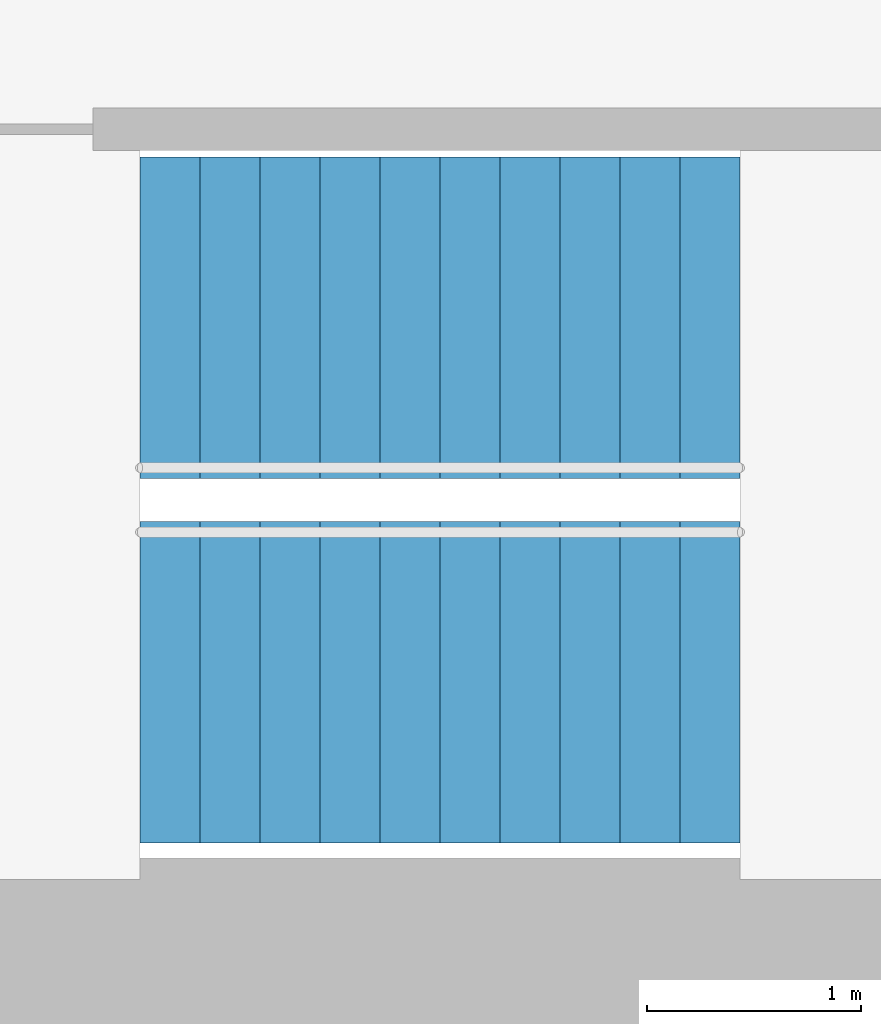
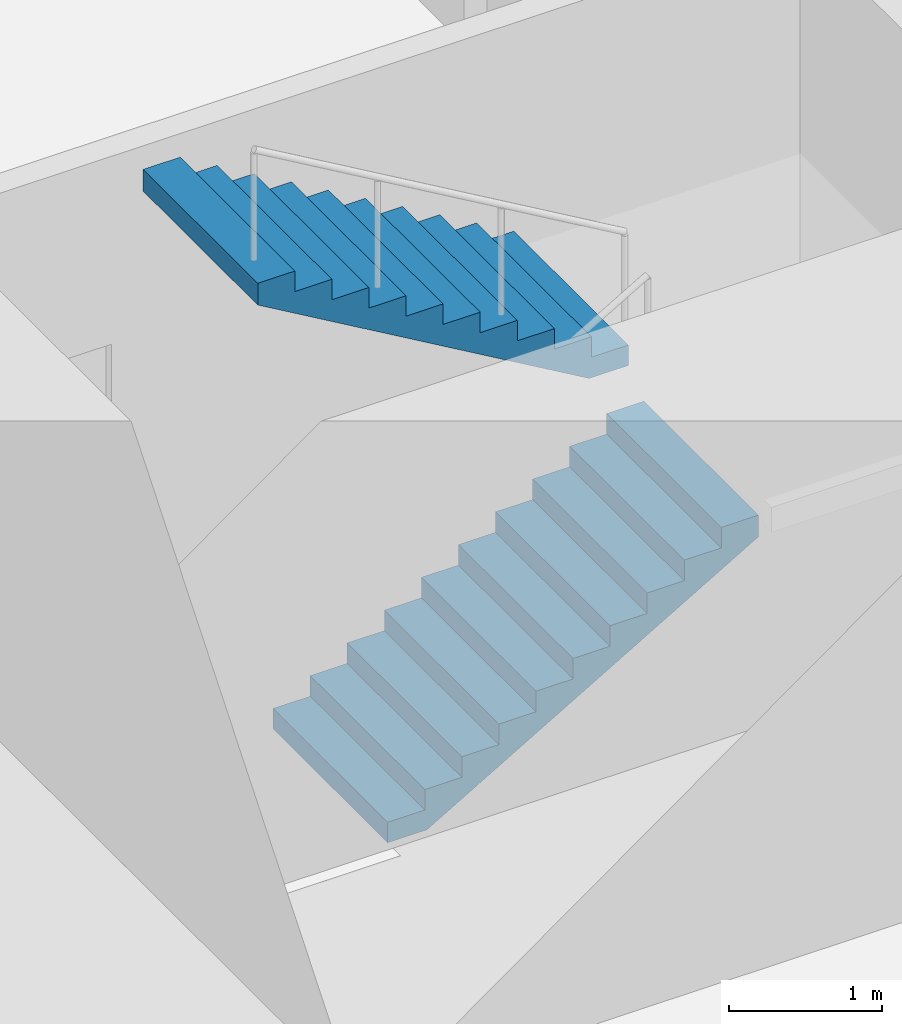
# One storey, part 13 of 15: 2 stair flights, 1 element without a shape of its own.
"""IFC4 building model written with IfcOpenShell, lengths in metres."""

from ifc_helpers import new_model, si_unit, direction, frame, origin, place, context, subcontext, project, spatial, triangles, material, type_object, element, aggregate, save


model = new_model("IFC4")

# Units and contexts
model_context = context("Model", 3, precision=1e-05, world=origin(), true_north=direction((0.0, 1.0)))
body_context = subcontext(model_context, "Body", "Model", "MODEL_VIEW")
ifc_project = project(units=[si_unit("LENGTHUNIT", "METRE"), si_unit("AREAUNIT", "SQUARE_METRE"), si_unit("VOLUMEUNIT", "CUBIC_METRE"), si_unit("PLANEANGLEUNIT", "RADIAN"), si_unit("MASSUNIT", "GRAM", prefix="KILO")], contexts=[model_context])

# Site, building, storey
site_placement = place(None, origin())
site = spatial("IfcSite", under=ifc_project, at=site_placement, CompositionType="ELEMENT")
building_placement = place(site_placement, origin())
building = spatial("IfcBuilding", under=site, at=building_placement, Name="Lantaw Convention Tower", CompositionType="ELEMENT")
storey_placement = place(building_placement, frame((0.0, 0.0, 91.0)))
storey = spatial("IfcBuildingStorey", under=building, at=storey_placement, Name="L21", CompositionType="ELEMENT", Elevation=91.0)

# Stair, stair flights
ifc_material = material(Name="Concrete C35/45", Category="concrete")
stair_type = type_object("IfcStairType", Name="Exit stair 1500 riser 163.64 in 2 flights", PredefinedType="HALF_TURN_STAIR", material=ifc_material)
stair_placement = place(storey_placement, origin())
stair = element("IfcStair", 1, at=stair_placement, inside=storey, type_object=stair_type, Name="Exit stair S1 L21", PredefinedType="HALF_TURN_STAIR")
stair_flight_type = type_object("IfcStairFlightType", Name="Stair flight 1500 riser 163.64", PredefinedType="STRAIGHT", material=ifc_material)
stair_flight_1_placement = place(storey_placement, frame((-10.580078125, -5.97998046875, 0.0), z_axis=(0.0, 0.0, 1.0), x_axis=(1.0, 0.0, 0.0)))
stair_flight_1 = element("IfcStairFlight", 2, at=stair_flight_1_placement, type_object=stair_flight_type, Name="S1 flight 1", NumberOfRisers=11, NumberOfTreads=10, PredefinedType="STRAIGHT", RiserHeight=0.163636364, TreadLength=0.28, context=body_context, shape_type="Tessellation", body=[
    triangles([(0.0, 0.75, 0.0), (0.0, 0.75, 0.163636364), (0.28, 0.75, 0.0), (0.28, 0.75, 0.163636364), (0.28, 0.75, 0.327272728), (0.2970904571225277, 0.75, 0.0), (0.2970904571225277, 0.75, 0.327272728), (0.56, 0.75, 0.1536484344906131), (0.56, 0.75, 0.327272728), (0.56, 0.75, 0.490909092), (0.8400000000000001, 0.75, 0.3172847984906131), (0.8400000000000001, 0.75, 0.490909092), (0.8400000000000001, 0.75, 0.654545456), (1.12, 0.75, 0.4809211624906131), (1.12, 0.75, 0.654545456), (1.12, 0.75, 0.8181818200000001), (1.4000000000000001, 0.75, 0.6445575264906132), (1.4000000000000001, 0.75, 0.8181818200000001), (1.4000000000000001, 0.75, 0.981818184), (1.6800000000000002, 0.75, 0.8081938904906131), (1.6800000000000002, 0.75, 0.981818184), (1.6800000000000002, 0.75, 1.145454548), (1.9600000000000002, 0.75, 0.9718302544906131), (1.9600000000000002, 0.75, 1.145454548), (1.9600000000000002, 0.75, 1.309090912), (2.24, 0.75, 1.135466618490613), (2.24, 0.75, 1.309090912), (2.24, 0.75, 1.472727276), (2.5200000000000005, 0.75, 1.2991029824906133), (2.5200000000000005, 0.75, 1.472727276), (2.5200000000000005, 0.75, 1.6363636400000001), (2.8000000000000003, 0.75, 1.462739346490613), (2.8000000000000003, 0.75, 1.6363636400000001), (0.0, -0.75, 0.0), (0.0, -0.75, 0.163636364), (0.28, -0.75, 0.0), (0.28, -0.75, 0.163636364), (0.28, -0.75, 0.327272728), (0.2970904571225277, -0.75, 0.0), (0.2970904571225277, -0.75, 0.327272728), (0.56, -0.75, 0.1536484344906131), (0.56, -0.75, 0.327272728), (0.56, -0.75, 0.490909092), (0.8400000000000001, -0.75, 0.3172847984906131), (0.8400000000000001, -0.75, 0.490909092), (0.8400000000000001, -0.75, 0.654545456), (1.12, -0.75, 0.4809211624906131), (1.12, -0.75, 0.654545456), (1.12, -0.75, 0.8181818200000001), (1.4000000000000001, -0.75, 0.6445575264906132), (1.4000000000000001, -0.75, 0.8181818200000001), (1.4000000000000001, -0.75, 0.981818184), (1.6800000000000002, -0.75, 0.8081938904906131), (1.6800000000000002, -0.75, 0.981818184), (1.6800000000000002, -0.75, 1.145454548), (1.9600000000000002, -0.75, 0.9718302544906131), (1.9600000000000002, -0.75, 1.145454548), (1.9600000000000002, -0.75, 1.309090912), (2.24, -0.75, 1.135466618490613), (2.24, -0.75, 1.309090912), (2.24, -0.75, 1.472727276), (2.5200000000000005, -0.75, 1.2991029824906133), (2.5200000000000005, -0.75, 1.472727276), (2.5200000000000005, -0.75, 1.6363636400000001), (2.8000000000000003, -0.75, 1.462739346490613), (2.8000000000000003, -0.75, 1.6363636400000001), (0.0, 0.15000000000000002, 0.163636364), (0.0, 0.15000000000000002, 0.0), (0.0, 0.0, 0.163636364), (0.0, 0.0, 0.0), (0.0, -0.15000000000000002, 0.163636364), (0.0, -0.15000000000000002, 0.0), (0.28, 0.15000000000000002, 0.327272728), (0.28, 0.15000000000000002, 0.163636364), (0.28, 0.0, 0.327272728), (0.28, 0.0, 0.163636364), (0.28, -0.15000000000000002, 0.327272728), (0.28, -0.15000000000000002, 0.163636364), (0.56, 0.15000000000000002, 0.490909092), (0.56, 0.15000000000000002, 0.327272728), (0.56, 0.0, 0.490909092), (0.56, 0.0, 0.327272728), (0.56, -0.15000000000000002, 0.490909092), (0.56, -0.15000000000000002, 0.327272728), (0.8400000000000001, 0.15000000000000002, 0.654545456), (0.8400000000000001, 0.15000000000000002, 0.490909092), (0.8400000000000001, 0.0, 0.654545456), (0.8400000000000001, 0.0, 0.490909092), (0.8400000000000001, -0.15000000000000002, 0.654545456), (0.8400000000000001, -0.15000000000000002, 0.490909092), (1.12, 0.15000000000000002, 0.8181818200000001), (1.12, 0.15000000000000002, 0.654545456), (1.12, 0.0, 0.8181818200000001), (1.12, 0.0, 0.654545456), (1.12, -0.15000000000000002, 0.8181818200000001), (1.12, -0.15000000000000002, 0.654545456), (1.4000000000000001, 0.15000000000000002, 0.981818184), (1.4000000000000001, 0.15000000000000002, 0.8181818200000001), (1.4000000000000001, 0.0, 0.981818184), (1.4000000000000001, 0.0, 0.8181818200000001), (1.4000000000000001, -0.15000000000000002, 0.981818184), (1.4000000000000001, -0.15000000000000002, 0.8181818200000001), (1.6800000000000002, 0.15000000000000002, 1.145454548), (1.6800000000000002, 0.15000000000000002, 0.981818184), (1.6800000000000002, 0.0, 1.145454548), (1.6800000000000002, 0.0, 0.981818184), (1.6800000000000002, -0.15000000000000002, 1.145454548), (1.6800000000000002, -0.15000000000000002, 0.981818184), (1.9600000000000002, 0.15000000000000002, 1.309090912), (1.9600000000000002, 0.15000000000000002, 1.145454548), (1.9600000000000002, 0.0, 1.309090912), (1.9600000000000002, 0.0, 1.145454548), (1.9600000000000002, -0.15000000000000002, 1.309090912), (1.9600000000000002, -0.15000000000000002, 1.145454548), (2.24, 0.15000000000000002, 1.472727276), (2.24, 0.15000000000000002, 1.309090912), (2.24, 0.0, 1.472727276), (2.24, 0.0, 1.309090912), (2.24, -0.15000000000000002, 1.472727276), (2.24, -0.15000000000000002, 1.309090912), (2.5200000000000005, 0.15000000000000002, 1.6363636400000001), (2.5200000000000005, 0.15000000000000002, 1.472727276), (2.5200000000000005, 0.0, 1.6363636400000001), (2.5200000000000005, 0.0, 1.472727276), (2.5200000000000005, -0.15000000000000002, 1.6363636400000001), (2.5200000000000005, -0.15000000000000002, 1.472727276), (0.2970904571225277, 0.15000000000000002, 0.327272728), (0.2970904571225277, 0.0, 0.327272728), (0.2970904571225277, -0.15000000000000002, 0.327272728), (2.8000000000000003, 0.15000000000000002, 1.6363636400000001), (2.8000000000000003, 0.0, 1.6363636400000001), (2.8000000000000003, -0.15000000000000002, 1.6363636400000001), (2.8000000000000003, 0.15000000000000002, 1.462739346490613), (2.8000000000000003, 0.0, 1.462739346490613), (2.8000000000000003, -0.15000000000000002, 1.462739346490613), (2.5200000000000005, 0.15000000000000002, 1.2991029824906133), (2.5200000000000005, 0.0, 1.2991029824906133), (2.5200000000000005, -0.15000000000000002, 1.2991029824906133), (2.24, 0.15000000000000002, 1.135466618490613), (2.24, 0.0, 1.135466618490613), (2.24, -0.15000000000000002, 1.135466618490613), (1.9600000000000002, 0.15000000000000002, 0.9718302544906131), (1.9600000000000002, 0.0, 0.9718302544906131), (1.9600000000000002, -0.15000000000000002, 0.9718302544906131), (1.6800000000000002, 0.15000000000000002, 0.8081938904906131), (1.6800000000000002, 0.0, 0.8081938904906131), (1.6800000000000002, -0.15000000000000002, 0.8081938904906131), (1.4000000000000001, 0.15000000000000002, 0.6445575264906132), (1.4000000000000001, 0.0, 0.6445575264906132), (1.4000000000000001, -0.15000000000000002, 0.6445575264906132), (1.12, 0.15000000000000002, 0.4809211624906131), (1.12, 0.0, 0.4809211624906131), (1.12, -0.15000000000000002, 0.4809211624906131), (0.8400000000000001, 0.15000000000000002, 0.3172847984906131), (0.8400000000000001, 0.0, 0.3172847984906131), (0.8400000000000001, -0.15000000000000002, 0.3172847984906131), (0.56, 0.15000000000000002, 0.1536484344906131), (0.56, 0.0, 0.1536484344906131), (0.56, -0.15000000000000002, 0.1536484344906131), (0.2970904571225277, 0.15000000000000002, 0.0), (0.2970904571225277, 0.0, 0.0), (0.2970904571225277, -0.15000000000000002, 0.0), (0.28, 0.15000000000000002, 0.0), (0.28, 0.0, 0.0), (0.28, -0.15000000000000002, 0.0)], [[1, 4, 3], [1, 2, 4], [3, 4, 6], [4, 7, 6], [4, 5, 7], [6, 9, 8], [6, 7, 9], [8, 9, 11], [9, 12, 11], [9, 10, 12], [11, 12, 14], [12, 15, 14], [12, 13, 15], [14, 15, 17], [15, 18, 17], [15, 16, 18], [17, 18, 20], [18, 21, 20], [18, 19, 21], [20, 21, 23], [21, 24, 23], [21, 22, 24], [23, 24, 26], [24, 27, 26], [24, 25, 27], [26, 27, 29], [27, 30, 29], [27, 28, 30], [29, 30, 32], [30, 33, 32], [30, 31, 33], [34, 36, 37], [34, 37, 35], [36, 39, 37], [37, 39, 40], [37, 40, 38], [39, 41, 42], [39, 42, 40], [41, 44, 42], [42, 44, 45], [42, 45, 43], [44, 47, 45], [45, 47, 48], [45, 48, 46], [47, 50, 48], [48, 50, 51], [48, 51, 49], [50, 53, 51], [51, 53, 54], [51, 54, 52], [53, 56, 54], [54, 56, 57], [54, 57, 55], [56, 59, 57], [57, 59, 60], [57, 60, 58], [59, 62, 60], [60, 62, 63], [60, 63, 61], [62, 65, 63], [63, 65, 66], [63, 66, 64], [1, 67, 2], [1, 68, 67], [68, 69, 67], [68, 70, 69], [70, 71, 69], [70, 72, 71], [72, 35, 71], [72, 34, 35], [4, 73, 5], [4, 74, 73], [74, 75, 73], [74, 76, 75], [76, 77, 75], [76, 78, 77], [78, 38, 77], [78, 37, 38], [9, 79, 10], [9, 80, 79], [80, 81, 79], [80, 82, 81], [82, 83, 81], [82, 84, 83], [84, 43, 83], [84, 42, 43], [12, 85, 13], [12, 86, 85], [86, 87, 85], [86, 88, 87], [88, 89, 87], [88, 90, 89], [90, 46, 89], [90, 45, 46], [15, 91, 16], [15, 92, 91], [92, 93, 91], [92, 94, 93], [94, 95, 93], [94, 96, 95], [96, 49, 95], [96, 48, 49], [18, 97, 19], [18, 98, 97], [98, 99, 97], [98, 100, 99], [100, 101, 99], [100, 102, 101], [102, 52, 101], [102, 51, 52], [21, 103, 22], [21, 104, 103], [104, 105, 103], [104, 106, 105], [106, 107, 105], [106, 108, 107], [108, 55, 107], [108, 54, 55], [24, 109, 25], [24, 110, 109], [110, 111, 109], [110, 112, 111], [112, 113, 111], [112, 114, 113], [114, 58, 113], [114, 57, 58], [27, 115, 28], [27, 116, 115], [116, 117, 115], [116, 118, 117], [118, 119, 117], [118, 120, 119], [120, 61, 119], [120, 60, 61], [30, 121, 31], [30, 122, 121], [122, 123, 121], [122, 124, 123], [124, 125, 123], [124, 126, 125], [126, 64, 125], [126, 63, 64], [2, 74, 4], [2, 67, 74], [67, 76, 74], [67, 69, 76], [69, 78, 76], [69, 71, 78], [71, 37, 78], [71, 35, 37], [5, 127, 7], [5, 73, 127], [73, 128, 127], [73, 75, 128], [75, 129, 128], [75, 77, 129], [77, 40, 129], [77, 38, 40], [7, 80, 9], [7, 127, 80], [127, 82, 80], [127, 128, 82], [128, 84, 82], [128, 129, 84], [129, 42, 84], [129, 40, 42], [10, 86, 12], [10, 79, 86], [79, 88, 86], [79, 81, 88], [81, 90, 88], [81, 83, 90], [83, 45, 90], [83, 43, 45], [13, 92, 15], [13, 85, 92], [85, 94, 92], [85, 87, 94], [87, 96, 94], [87, 89, 96], [89, 48, 96], [89, 46, 48], [16, 98, 18], [16, 91, 98], [91, 100, 98], [91, 93, 100], [93, 102, 100], [93, 95, 102], [95, 51, 102], [95, 49, 51], [19, 104, 21], [19, 97, 104], [97, 106, 104], [97, 99, 106], [99, 108, 106], [99, 101, 108], [101, 54, 108], [101, 52, 54], [22, 110, 24], [22, 103, 110], [103, 112, 110], [103, 105, 112], [105, 114, 112], [105, 107, 114], [107, 57, 114], [107, 55, 57], [25, 116, 27], [25, 109, 116], [109, 118, 116], [109, 111, 118], [111, 120, 118], [111, 113, 120], [113, 60, 120], [113, 58, 60], [28, 122, 30], [28, 115, 122], [115, 124, 122], [115, 117, 124], [117, 126, 124], [117, 119, 126], [119, 63, 126], [119, 61, 63], [31, 130, 33], [31, 121, 130], [121, 131, 130], [121, 123, 131], [123, 132, 131], [123, 125, 132], [125, 66, 132], [125, 64, 66], [33, 133, 32], [33, 130, 133], [130, 134, 133], [130, 131, 134], [131, 135, 134], [131, 132, 135], [132, 65, 135], [132, 66, 65], [32, 136, 29], [32, 133, 136], [133, 137, 136], [133, 134, 137], [134, 138, 137], [134, 135, 138], [135, 62, 138], [135, 65, 62], [29, 139, 26], [29, 136, 139], [136, 140, 139], [136, 137, 140], [137, 141, 140], [137, 138, 141], [138, 59, 141], [138, 62, 59], [26, 142, 23], [26, 139, 142], [139, 143, 142], [139, 140, 143], [140, 144, 143], [140, 141, 144], [141, 56, 144], [141, 59, 56], [23, 145, 20], [23, 142, 145], [142, 146, 145], [142, 143, 146], [143, 147, 146], [143, 144, 147], [144, 53, 147], [144, 56, 53], [20, 148, 17], [20, 145, 148], [145, 149, 148], [145, 146, 149], [146, 150, 149], [146, 147, 150], [147, 50, 150], [147, 53, 50], [17, 151, 14], [17, 148, 151], [148, 152, 151], [148, 149, 152], [149, 153, 152], [149, 150, 153], [150, 47, 153], [150, 50, 47], [14, 154, 11], [14, 151, 154], [151, 155, 154], [151, 152, 155], [152, 156, 155], [152, 153, 156], [153, 44, 156], [153, 47, 44], [11, 157, 8], [11, 154, 157], [154, 158, 157], [154, 155, 158], [155, 159, 158], [155, 156, 159], [156, 41, 159], [156, 44, 41], [8, 160, 6], [8, 157, 160], [157, 161, 160], [157, 158, 161], [158, 162, 161], [158, 159, 162], [159, 39, 162], [159, 41, 39], [6, 163, 3], [6, 160, 163], [160, 164, 163], [160, 161, 164], [161, 165, 164], [161, 162, 165], [162, 36, 165], [162, 39, 36], [3, 68, 1], [3, 163, 68], [163, 70, 68], [163, 164, 70], [164, 72, 70], [164, 165, 72], [165, 34, 72], [165, 36, 34]], closed=True),
])
stair_flight_2_placement = place(storey_placement, frame((-7.780029296875, -4.280029296875, 1.800048828125), z_axis=(0.0, 0.0, 1.0), x_axis=(-1.0, 0.0, 0.0)))
stair_flight_2 = element("IfcStairFlight", 3, at=stair_flight_2_placement, type_object=stair_flight_type, Name="S1 flight 2", NumberOfRisers=11, NumberOfTreads=10, PredefinedType="STRAIGHT", RiserHeight=0.163636364, TreadLength=0.28, context=body_context, shape_type="Tessellation", body=[
    triangles([(0.0, 0.75, 0.0), (0.0, 0.75, 0.163636364), (0.28, 0.75, 0.0), (0.28, 0.75, 0.163636364), (0.28, 0.75, 0.327272728), (0.2970904571225277, 0.75, 0.0), (0.2970904571225277, 0.75, 0.327272728), (0.56, 0.75, 0.1536484344906131), (0.56, 0.75, 0.327272728), (0.56, 0.75, 0.490909092), (0.8400000000000001, 0.75, 0.3172847984906131), (0.8400000000000001, 0.75, 0.490909092), (0.8400000000000001, 0.75, 0.654545456), (1.12, 0.75, 0.4809211624906131), (1.12, 0.75, 0.654545456), (1.12, 0.75, 0.8181818200000001), (1.4000000000000001, 0.75, 0.6445575264906132), (1.4000000000000001, 0.75, 0.8181818200000001), (1.4000000000000001, 0.75, 0.981818184), (1.6800000000000002, 0.75, 0.8081938904906131), (1.6800000000000002, 0.75, 0.981818184), (1.6800000000000002, 0.75, 1.145454548), (1.9600000000000002, 0.75, 0.9718302544906131), (1.9600000000000002, 0.75, 1.145454548), (1.9600000000000002, 0.75, 1.309090912), (2.24, 0.75, 1.135466618490613), (2.24, 0.75, 1.309090912), (2.24, 0.75, 1.472727276), (2.5200000000000005, 0.75, 1.2991029824906133), (2.5200000000000005, 0.75, 1.472727276), (2.5200000000000005, 0.75, 1.6363636400000001), (2.8000000000000003, 0.75, 1.462739346490613), (2.8000000000000003, 0.75, 1.6363636400000001), (0.0, -0.75, 0.0), (0.0, -0.75, 0.163636364), (0.28, -0.75, 0.0), (0.28, -0.75, 0.163636364), (0.28, -0.75, 0.327272728), (0.2970904571225277, -0.75, 0.0), (0.2970904571225277, -0.75, 0.327272728), (0.56, -0.75, 0.1536484344906131), (0.56, -0.75, 0.327272728), (0.56, -0.75, 0.490909092), (0.8400000000000001, -0.75, 0.3172847984906131), (0.8400000000000001, -0.75, 0.490909092), (0.8400000000000001, -0.75, 0.654545456), (1.12, -0.75, 0.4809211624906131), (1.12, -0.75, 0.654545456), (1.12, -0.75, 0.8181818200000001), (1.4000000000000001, -0.75, 0.6445575264906132), (1.4000000000000001, -0.75, 0.8181818200000001), (1.4000000000000001, -0.75, 0.981818184), (1.6800000000000002, -0.75, 0.8081938904906131), (1.6800000000000002, -0.75, 0.981818184), (1.6800000000000002, -0.75, 1.145454548), (1.9600000000000002, -0.75, 0.9718302544906131), (1.9600000000000002, -0.75, 1.145454548), (1.9600000000000002, -0.75, 1.309090912), (2.24, -0.75, 1.135466618490613), (2.24, -0.75, 1.309090912), (2.24, -0.75, 1.472727276), (2.5200000000000005, -0.75, 1.2991029824906133), (2.5200000000000005, -0.75, 1.472727276), (2.5200000000000005, -0.75, 1.6363636400000001), (2.8000000000000003, -0.75, 1.462739346490613), (2.8000000000000003, -0.75, 1.6363636400000001), (0.0, 0.15000000000000002, 0.163636364), (0.0, 0.15000000000000002, 0.0), (0.0, 0.0, 0.163636364), (0.0, 0.0, 0.0), (0.0, -0.15000000000000002, 0.163636364), (0.0, -0.15000000000000002, 0.0), (0.28, 0.15000000000000002, 0.327272728), (0.28, 0.15000000000000002, 0.163636364), (0.28, 0.0, 0.327272728), (0.28, 0.0, 0.163636364), (0.28, -0.15000000000000002, 0.327272728), (0.28, -0.15000000000000002, 0.163636364), (0.56, 0.15000000000000002, 0.490909092), (0.56, 0.15000000000000002, 0.327272728), (0.56, 0.0, 0.490909092), (0.56, 0.0, 0.327272728), (0.56, -0.15000000000000002, 0.490909092), (0.56, -0.15000000000000002, 0.327272728), (0.8400000000000001, 0.15000000000000002, 0.654545456), (0.8400000000000001, 0.15000000000000002, 0.490909092), (0.8400000000000001, 0.0, 0.654545456), (0.8400000000000001, 0.0, 0.490909092), (0.8400000000000001, -0.15000000000000002, 0.654545456), (0.8400000000000001, -0.15000000000000002, 0.490909092), (1.12, 0.15000000000000002, 0.8181818200000001), (1.12, 0.15000000000000002, 0.654545456), (1.12, 0.0, 0.8181818200000001), (1.12, 0.0, 0.654545456), (1.12, -0.15000000000000002, 0.8181818200000001), (1.12, -0.15000000000000002, 0.654545456), (1.4000000000000001, 0.15000000000000002, 0.981818184), (1.4000000000000001, 0.15000000000000002, 0.8181818200000001), (1.4000000000000001, 0.0, 0.981818184), (1.4000000000000001, 0.0, 0.8181818200000001), (1.4000000000000001, -0.15000000000000002, 0.981818184), (1.4000000000000001, -0.15000000000000002, 0.8181818200000001), (1.6800000000000002, 0.15000000000000002, 1.145454548), (1.6800000000000002, 0.15000000000000002, 0.981818184), (1.6800000000000002, 0.0, 1.145454548), (1.6800000000000002, 0.0, 0.981818184), (1.6800000000000002, -0.15000000000000002, 1.145454548), (1.6800000000000002, -0.15000000000000002, 0.981818184), (1.9600000000000002, 0.15000000000000002, 1.309090912), (1.9600000000000002, 0.15000000000000002, 1.145454548), (1.9600000000000002, 0.0, 1.309090912), (1.9600000000000002, 0.0, 1.145454548), (1.9600000000000002, -0.15000000000000002, 1.309090912), (1.9600000000000002, -0.15000000000000002, 1.145454548), (2.24, 0.15000000000000002, 1.472727276), (2.24, 0.15000000000000002, 1.309090912), (2.24, 0.0, 1.472727276), (2.24, 0.0, 1.309090912), (2.24, -0.15000000000000002, 1.472727276), (2.24, -0.15000000000000002, 1.309090912), (2.5200000000000005, 0.15000000000000002, 1.6363636400000001), (2.5200000000000005, 0.15000000000000002, 1.472727276), (2.5200000000000005, 0.0, 1.6363636400000001), (2.5200000000000005, 0.0, 1.472727276), (2.5200000000000005, -0.15000000000000002, 1.6363636400000001), (2.5200000000000005, -0.15000000000000002, 1.472727276), (0.2970904571225277, 0.15000000000000002, 0.327272728), (0.2970904571225277, 0.0, 0.327272728), (0.2970904571225277, -0.15000000000000002, 0.327272728), (2.8000000000000003, 0.15000000000000002, 1.6363636400000001), (2.8000000000000003, 0.0, 1.6363636400000001), (2.8000000000000003, -0.15000000000000002, 1.6363636400000001), (2.8000000000000003, 0.15000000000000002, 1.462739346490613), (2.8000000000000003, 0.0, 1.462739346490613), (2.8000000000000003, -0.15000000000000002, 1.462739346490613), (2.5200000000000005, 0.15000000000000002, 1.2991029824906133), (2.5200000000000005, 0.0, 1.2991029824906133), (2.5200000000000005, -0.15000000000000002, 1.2991029824906133), (2.24, 0.15000000000000002, 1.135466618490613), (2.24, 0.0, 1.135466618490613), (2.24, -0.15000000000000002, 1.135466618490613), (1.9600000000000002, 0.15000000000000002, 0.9718302544906131), (1.9600000000000002, 0.0, 0.9718302544906131), (1.9600000000000002, -0.15000000000000002, 0.9718302544906131), (1.6800000000000002, 0.15000000000000002, 0.8081938904906131), (1.6800000000000002, 0.0, 0.8081938904906131), (1.6800000000000002, -0.15000000000000002, 0.8081938904906131), (1.4000000000000001, 0.15000000000000002, 0.6445575264906132), (1.4000000000000001, 0.0, 0.6445575264906132), (1.4000000000000001, -0.15000000000000002, 0.6445575264906132), (1.12, 0.15000000000000002, 0.4809211624906131), (1.12, 0.0, 0.4809211624906131), (1.12, -0.15000000000000002, 0.4809211624906131), (0.8400000000000001, 0.15000000000000002, 0.3172847984906131), (0.8400000000000001, 0.0, 0.3172847984906131), (0.8400000000000001, -0.15000000000000002, 0.3172847984906131), (0.56, 0.15000000000000002, 0.1536484344906131), (0.56, 0.0, 0.1536484344906131), (0.56, -0.15000000000000002, 0.1536484344906131), (0.2970904571225277, 0.15000000000000002, 0.0), (0.2970904571225277, 0.0, 0.0), (0.2970904571225277, -0.15000000000000002, 0.0), (0.28, 0.15000000000000002, 0.0), (0.28, 0.0, 0.0), (0.28, -0.15000000000000002, 0.0)], [[1, 4, 3], [1, 2, 4], [3, 4, 6], [4, 7, 6], [4, 5, 7], [6, 9, 8], [6, 7, 9], [8, 9, 11], [9, 12, 11], [9, 10, 12], [11, 12, 14], [12, 15, 14], [12, 13, 15], [14, 15, 17], [15, 18, 17], [15, 16, 18], [17, 18, 20], [18, 21, 20], [18, 19, 21], [20, 21, 23], [21, 24, 23], [21, 22, 24], [23, 24, 26], [24, 27, 26], [24, 25, 27], [26, 27, 29], [27, 30, 29], [27, 28, 30], [29, 30, 32], [30, 33, 32], [30, 31, 33], [34, 36, 37], [34, 37, 35], [36, 39, 37], [37, 39, 40], [37, 40, 38], [39, 41, 42], [39, 42, 40], [41, 44, 42], [42, 44, 45], [42, 45, 43], [44, 47, 45], [45, 47, 48], [45, 48, 46], [47, 50, 48], [48, 50, 51], [48, 51, 49], [50, 53, 51], [51, 53, 54], [51, 54, 52], [53, 56, 54], [54, 56, 57], [54, 57, 55], [56, 59, 57], [57, 59, 60], [57, 60, 58], [59, 62, 60], [60, 62, 63], [60, 63, 61], [62, 65, 63], [63, 65, 66], [63, 66, 64], [1, 67, 2], [1, 68, 67], [68, 69, 67], [68, 70, 69], [70, 71, 69], [70, 72, 71], [72, 35, 71], [72, 34, 35], [4, 73, 5], [4, 74, 73], [74, 75, 73], [74, 76, 75], [76, 77, 75], [76, 78, 77], [78, 38, 77], [78, 37, 38], [9, 79, 10], [9, 80, 79], [80, 81, 79], [80, 82, 81], [82, 83, 81], [82, 84, 83], [84, 43, 83], [84, 42, 43], [12, 85, 13], [12, 86, 85], [86, 87, 85], [86, 88, 87], [88, 89, 87], [88, 90, 89], [90, 46, 89], [90, 45, 46], [15, 91, 16], [15, 92, 91], [92, 93, 91], [92, 94, 93], [94, 95, 93], [94, 96, 95], [96, 49, 95], [96, 48, 49], [18, 97, 19], [18, 98, 97], [98, 99, 97], [98, 100, 99], [100, 101, 99], [100, 102, 101], [102, 52, 101], [102, 51, 52], [21, 103, 22], [21, 104, 103], [104, 105, 103], [104, 106, 105], [106, 107, 105], [106, 108, 107], [108, 55, 107], [108, 54, 55], [24, 109, 25], [24, 110, 109], [110, 111, 109], [110, 112, 111], [112, 113, 111], [112, 114, 113], [114, 58, 113], [114, 57, 58], [27, 115, 28], [27, 116, 115], [116, 117, 115], [116, 118, 117], [118, 119, 117], [118, 120, 119], [120, 61, 119], [120, 60, 61], [30, 121, 31], [30, 122, 121], [122, 123, 121], [122, 124, 123], [124, 125, 123], [124, 126, 125], [126, 64, 125], [126, 63, 64], [2, 74, 4], [2, 67, 74], [67, 76, 74], [67, 69, 76], [69, 78, 76], [69, 71, 78], [71, 37, 78], [71, 35, 37], [5, 127, 7], [5, 73, 127], [73, 128, 127], [73, 75, 128], [75, 129, 128], [75, 77, 129], [77, 40, 129], [77, 38, 40], [7, 80, 9], [7, 127, 80], [127, 82, 80], [127, 128, 82], [128, 84, 82], [128, 129, 84], [129, 42, 84], [129, 40, 42], [10, 86, 12], [10, 79, 86], [79, 88, 86], [79, 81, 88], [81, 90, 88], [81, 83, 90], [83, 45, 90], [83, 43, 45], [13, 92, 15], [13, 85, 92], [85, 94, 92], [85, 87, 94], [87, 96, 94], [87, 89, 96], [89, 48, 96], [89, 46, 48], [16, 98, 18], [16, 91, 98], [91, 100, 98], [91, 93, 100], [93, 102, 100], [93, 95, 102], [95, 51, 102], [95, 49, 51], [19, 104, 21], [19, 97, 104], [97, 106, 104], [97, 99, 106], [99, 108, 106], [99, 101, 108], [101, 54, 108], [101, 52, 54], [22, 110, 24], [22, 103, 110], [103, 112, 110], [103, 105, 112], [105, 114, 112], [105, 107, 114], [107, 57, 114], [107, 55, 57], [25, 116, 27], [25, 109, 116], [109, 118, 116], [109, 111, 118], [111, 120, 118], [111, 113, 120], [113, 60, 120], [113, 58, 60], [28, 122, 30], [28, 115, 122], [115, 124, 122], [115, 117, 124], [117, 126, 124], [117, 119, 126], [119, 63, 126], [119, 61, 63], [31, 130, 33], [31, 121, 130], [121, 131, 130], [121, 123, 131], [123, 132, 131], [123, 125, 132], [125, 66, 132], [125, 64, 66], [33, 133, 32], [33, 130, 133], [130, 134, 133], [130, 131, 134], [131, 135, 134], [131, 132, 135], [132, 65, 135], [132, 66, 65], [32, 136, 29], [32, 133, 136], [133, 137, 136], [133, 134, 137], [134, 138, 137], [134, 135, 138], [135, 62, 138], [135, 65, 62], [29, 139, 26], [29, 136, 139], [136, 140, 139], [136, 137, 140], [137, 141, 140], [137, 138, 141], [138, 59, 141], [138, 62, 59], [26, 142, 23], [26, 139, 142], [139, 143, 142], [139, 140, 143], [140, 144, 143], [140, 141, 144], [141, 56, 144], [141, 59, 56], [23, 145, 20], [23, 142, 145], [142, 146, 145], [142, 143, 146], [143, 147, 146], [143, 144, 147], [144, 53, 147], [144, 56, 53], [20, 148, 17], [20, 145, 148], [145, 149, 148], [145, 146, 149], [146, 150, 149], [146, 147, 150], [147, 50, 150], [147, 53, 50], [17, 151, 14], [17, 148, 151], [148, 152, 151], [148, 149, 152], [149, 153, 152], [149, 150, 153], [150, 47, 153], [150, 50, 47], [14, 154, 11], [14, 151, 154], [151, 155, 154], [151, 152, 155], [152, 156, 155], [152, 153, 156], [153, 44, 156], [153, 47, 44], [11, 157, 8], [11, 154, 157], [154, 158, 157], [154, 155, 158], [155, 159, 158], [155, 156, 159], [156, 41, 159], [156, 44, 41], [8, 160, 6], [8, 157, 160], [157, 161, 160], [157, 158, 161], [158, 162, 161], [158, 159, 162], [159, 39, 162], [159, 41, 39], [6, 163, 3], [6, 160, 163], [160, 164, 163], [160, 161, 164], [161, 165, 164], [161, 162, 165], [162, 36, 165], [162, 39, 36], [3, 68, 1], [3, 163, 68], [163, 70, 68], [163, 164, 70], [164, 72, 70], [164, 165, 72], [165, 34, 72], [165, 36, 34]], closed=True),
])
aggregate(stair, [stair_flight_1, stair_flight_2])

save(model, "model.ifc")
